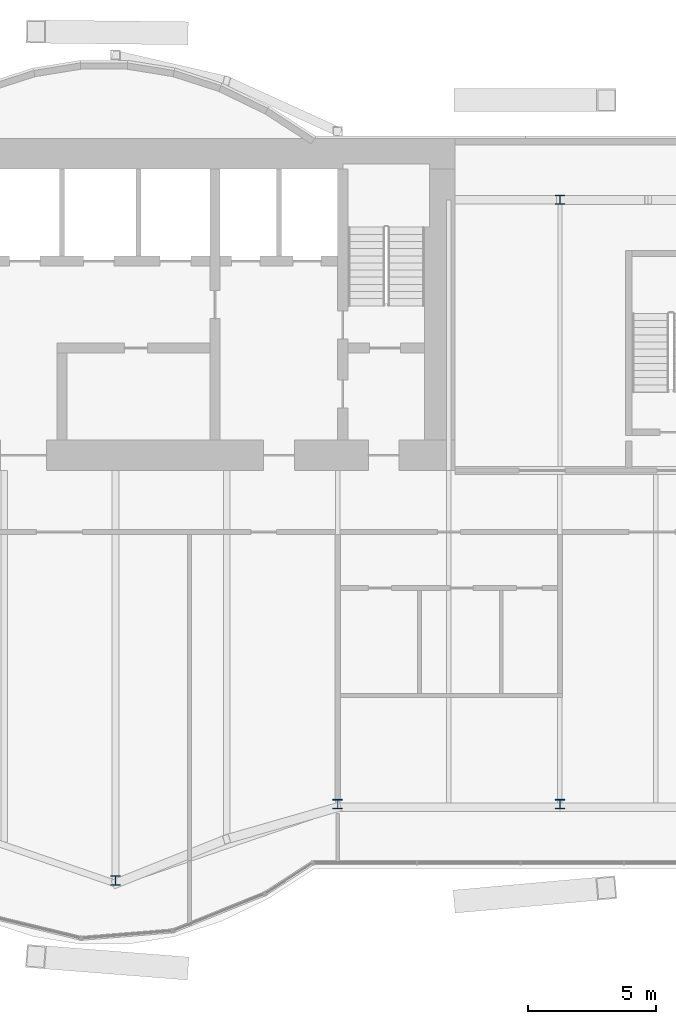
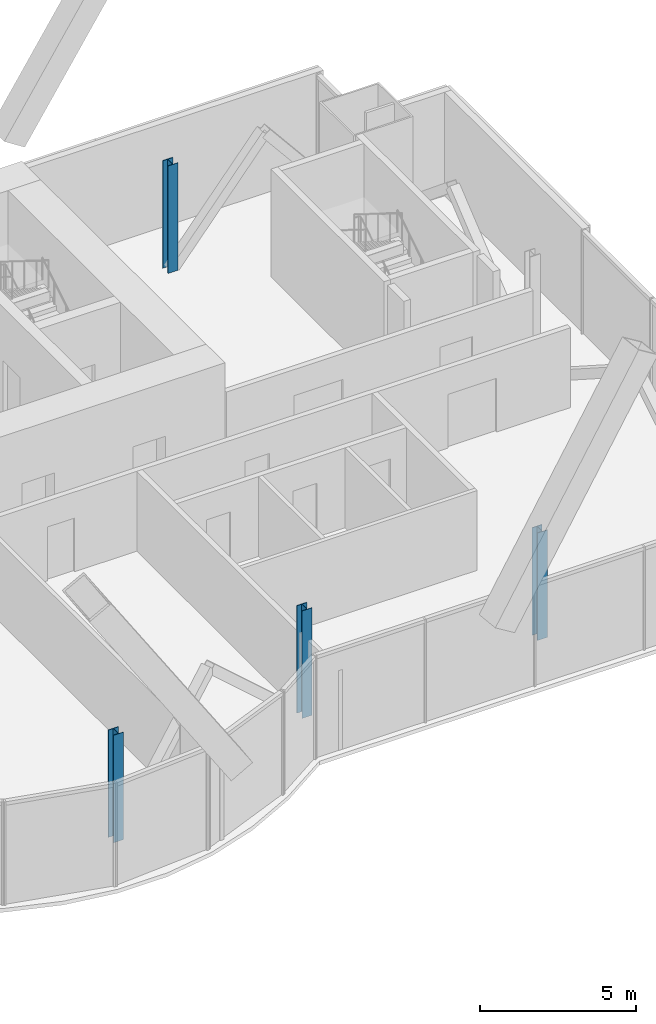
# One storey, part 2 of 19: 4 columns.
"""IFC4 building model written with IfcOpenShell, lengths in metres."""

from ifc_helpers import new_model, si_unit, direction, frame, origin, origin_2d, place, context, subcontext, project, spatial, i_section, extrude, material, material_profile, profile_set, type_object, element, save


model = new_model("IFC4")

# Units and contexts
model_context = context("Model", 3, precision=1e-05, world=origin(), true_north=direction((0.0, 1.0)))
body_context = subcontext(model_context, "Body", "Model", "MODEL_VIEW")
ifc_project = project(units=[si_unit("LENGTHUNIT", "METRE"), si_unit("AREAUNIT", "SQUARE_METRE"), si_unit("VOLUMEUNIT", "CUBIC_METRE"), si_unit("PLANEANGLEUNIT", "RADIAN"), si_unit("MASSUNIT", "GRAM", prefix="KILO")], contexts=[model_context])

# Site, building, storey
site_placement = place(None, origin())
site = spatial("IfcSite", under=ifc_project, at=site_placement, CompositionType="ELEMENT")
building_placement = place(site_placement, origin())
building = spatial("IfcBuilding", under=site, at=building_placement, Name="Bicima Exchange Tower", CompositionType="ELEMENT")
storey_placement = place(building_placement, frame((0.0, 0.0, 270.800048828125)))
storey = spatial("IfcBuildingStorey", under=building, at=storey_placement, Name="L61", CompositionType="ELEMENT", Elevation=270.800048828125)

# Columns
ifc_material = material(Name="Steel ASTM A992 Gr 50", Category="steel")
ifc_material_profile = material_profile(ifc_material, i_section(OverallWidth=0.370849609375, OverallDepth=0.36328125, WebThickness=0.013427734375, FlangeThickness=0.021728515625, at=origin_2d()))
ifc_profile_set = profile_set([ifc_material_profile], Name="Steel ASTM A992 Gr 50")
column_type = type_object("IfcColumnType", Name="Perimeter column W14x109", PredefinedType="COLUMN", material=ifc_profile_set)
for number, where, z_axis, x_axis, name in (
    (1, (8.699951171875, -29.049072265625, 0.0), (0.0, 0.0, 1.0), (1.0, 0.0, 0.0), "Perimeter column grav+8.7f"),
    (2, (17.39990234375, -26.05810546875, 0.0), (0.0, 0.0, 1.0), (1.0, 0.0, 0.0), "Perimeter column grav+17.4f"),
    (3, (26.10009765625, -26.05810546875, 0.0), (0.0, 0.0, 1.0), (1.0, 0.0, 0.0), "Perimeter column grav+26.1f"),
    (4, (26.10009765625, -2.39990234375, 0.0), (0.0, 0.0, 1.0), (1.0, 0.0, 0.0), "Perimeter column grav+26.1r"),
):
    element("IfcColumn", number, at=place(storey_placement, frame(where, z_axis=z_axis, x_axis=x_axis)), inside=storey, type_object=column_type, Name=name, PredefinedType="COLUMN", context=body_context, shape_type="SweptSolid", body=[
        extrude(i_section(OverallWidth=0.370849609375, OverallDepth=0.36328125, WebThickness=0.013427734375, FlangeThickness=0.021728515625, at=origin_2d()), origin(), (0.0, 0.0, 1.0), 4.199951171875),
    ])

save(model, "model.ifc")
